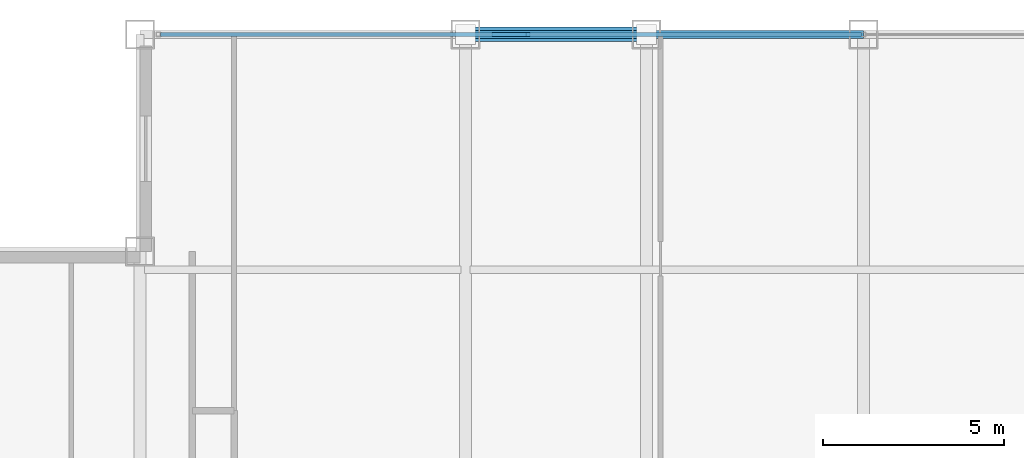
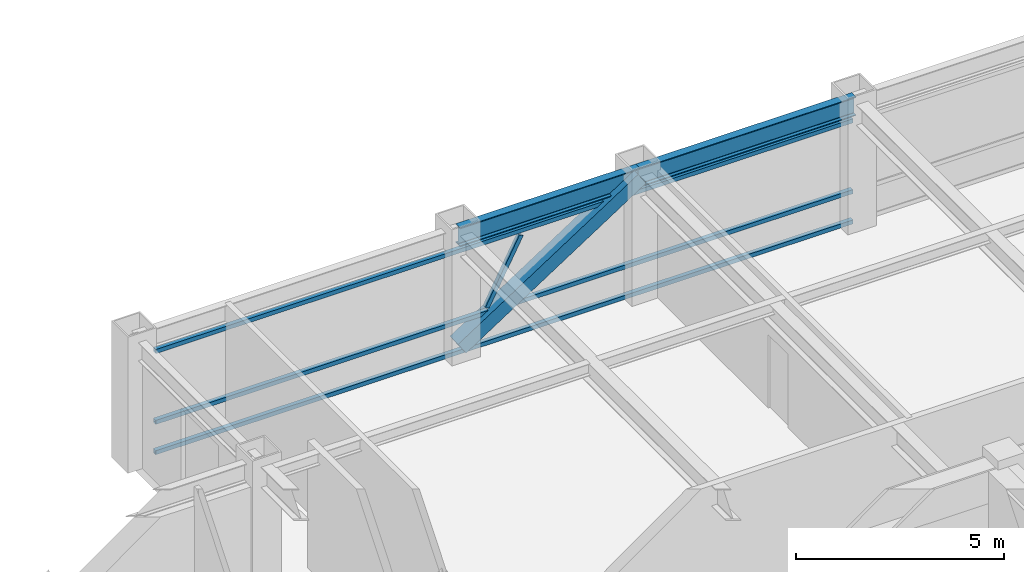
# One storey, part 17 of 28: 5 members, 2 beams, 1 element without a shape of its own.
"""IFC4 building model written with IfcOpenShell, lengths in metres."""

from ifc_helpers import new_model, si_unit, direction, frame, origin, origin_2d, place, context, subcontext, project, spatial, hollow_rectangle, i_section, extrude, source, transform, mapped, material, material_profile, profile_set, type_object, element, aggregate, save


model = new_model("IFC4")

# Units and contexts
model_context = context("Model", 3, precision=1e-05, world=origin(), true_north=direction((0.0, 1.0)))
body_context = subcontext(model_context, "Body", "Model", "MODEL_VIEW")
ifc_project = project(units=[si_unit("LENGTHUNIT", "METRE"), si_unit("AREAUNIT", "SQUARE_METRE"), si_unit("VOLUMEUNIT", "CUBIC_METRE"), si_unit("PLANEANGLEUNIT", "RADIAN"), si_unit("MASSUNIT", "GRAM", prefix="KILO")], contexts=[model_context])

# Site, building, storey
site_placement = place(None, origin())
site = spatial("IfcSite", under=ifc_project, at=site_placement, CompositionType="ELEMENT")
building_placement = place(site_placement, origin())
building = spatial("IfcBuilding", under=site, at=building_placement, Name="Khorayat Bourse Tower", CompositionType="ELEMENT")
storey_placement = place(building_placement, frame((0.0, 0.0, 338.300048828125)))
storey = spatial("IfcBuildingStorey", under=building, at=storey_placement, Name="L80", CompositionType="ELEMENT", Elevation=338.300048828125)

# Beams
ifc_material_1 = material(Name="Steel ASTM A992 Grade 50", Category="steel")
ifc_material_profile_1 = material_profile(ifc_material_1, i_section(OverallWidth=0.214111328125, OverallDepth=0.549072265625, WebThickness=0.0146484375, FlangeThickness=0.023681640625, FilletRadius=0.013916015625, at=origin_2d()), Name="W530X138")
ifc_profile_set_1 = profile_set([ifc_material_profile_1], Name="Steel ASTM A992 Grade 50")
beam_type = type_object("IfcBeamType", Name="BM-SPAN-530", PredefinedType="SPANDREL", material=ifc_profile_set_1)
shared_shape_1 = source(origin(), body_context, "Body", "SweptSolid", [
    extrude(i_section(OverallWidth=0.214111328125, OverallDepth=0.549072265625, WebThickness=0.0146484375, FlangeThickness=0.023681640625, FilletRadius=0.013916015625, at=origin_2d()), origin(), (0.0, 0.0, 1.0), 5.0),
])
beam_1_placement = place(storey_placement, frame((-11.0, 26.0, 3.46533203125), z_axis=(1.0, 0.0, 0.0), x_axis=(0.0, 1.0, 0.0)))
element("IfcBeam", 1, at=beam_1_placement, inside=storey, type_object=beam_type, Name="L80 BM-SPAN-530 BM-L80-SPN-044", PredefinedType="SPANDREL", context=body_context, shape_type="MappedRepresentation", body=[
    mapped(shared_shape_1, transform((0.0, 0.0, 0.0), scale=1.0)),
])
shared_shape_2 = source(origin(), body_context, "Body", "SweptSolid", [
    extrude(i_section(OverallWidth=0.214111328125, OverallDepth=0.549072265625, WebThickness=0.0146484375, FlangeThickness=0.023681640625, FilletRadius=0.013916015625, at=origin_2d()), origin(), (0.0, 0.0, 1.0), 6.0),
])
beam_2_placement = place(storey_placement, frame((-6.0, 26.0, 3.46533203125), z_axis=(1.0, 0.0, 0.0), x_axis=(0.0, 1.0, 0.0)))
element("IfcBeam", 2, at=beam_2_placement, inside=storey, type_object=beam_type, Name="L80 BM-SPAN-530 BM-L80-SPN-043", PredefinedType="SPANDREL", context=body_context, shape_type="MappedRepresentation", body=[
    mapped(shared_shape_2, transform((0.0, 0.0, 0.0), scale=1.0)),
])

# Member
ifc_material_2 = material(Name="Steel EN 10025-4 S460M", Category="steel")
ifc_material_profile_2 = material_profile(ifc_material_2, hollow_rectangle(XDim=0.39990234375, YDim=0.39990234375, WallThickness=0.02197265625, at=origin_2d()), Name="HSS 400x400x22")
ifc_profile_set_2 = profile_set([ifc_material_profile_2], Name="Steel EN 10025-4 S460M")
member_type_1 = type_object("IfcMemberType", Name="MBR-TUBE-400", PredefinedType="BRACE", material=ifc_profile_set_2)
shared_shape_3 = source(origin(), body_context, "Body", "SweptSolid", [
    extrude(hollow_rectangle(XDim=0.39990234375, YDim=0.39990234375, WallThickness=0.02197265625, at=origin_2d()), origin(), (0.0, 0.0, 1.0), 5.9580078125),
])
member_1_placement = place(storey_placement, frame((-11.0, 26.0, 0.25), z_axis=(0.839210474455, 0.0, 0.543806748364), x_axis=(0.0, 1.0, 0.0)))
element("IfcMember", 3, at=member_1_placement, inside=storey, type_object=member_type_1, Name="L80 Perimeter Tube Brace 03", PredefinedType="BRACE", context=body_context, shape_type="MappedRepresentation", body=[
    mapped(shared_shape_3, transform((0.0, 0.0, 0.0), scale=1.0)),
])

# Curtain wall, members
ifc_material_3 = material(Name="Aluminium EN AW-6063 T6", Category="aluminium")
curtain_wall_type = type_object("IfcCurtainWallType", Name="CW-SYS-04", PredefinedType="NOTDEFINED", material=ifc_material_3)
curtain_wall_placement = place(storey_placement, origin())
curtain_wall = element("IfcCurtainWall", 4, at=curtain_wall_placement, inside=storey, type_object=curtain_wall_type, Name="L80 Curtain Wall CW-L80-N1", PredefinedType="NOTDEFINED")
ifc_material_profile_3 = material_profile(ifc_material_3, hollow_rectangle(XDim=0.1201171875, YDim=0.1201171875, WallThickness=0.0048828125, at=origin_2d()), Name="ALU 120x120x5")
ifc_profile_set_3 = profile_set([ifc_material_profile_3], Name="Aluminium EN AW-6063 T6")
member_type_2 = type_object("IfcMemberType", Name="CWM-DIAG-120", PredefinedType="MULLION", material=ifc_profile_set_3)
shared_shape_4 = source(origin(), body_context, "Body", "SweptSolid", [
    extrude(hollow_rectangle(XDim=0.1201171875, YDim=0.1201171875, WallThickness=0.0048828125, at=origin_2d()), origin(), (0.0, 0.0, 1.0), 2.0341796875),
])
member_2_placement = place(storey_placement, frame((-10.21875, 26.0, 1.08984375), z_axis=(0.465790950955, 0.0, 0.884894790361), x_axis=(0.0, 1.0, 0.0)))
member_2 = element("IfcMember", 5, at=member_2_placement, type_object=member_type_2, Name="CW-L80-N1 Faceted Diagonal Mullion 1", PredefinedType="MULLION", context=body_context, shape_type="MappedRepresentation", body=[
    mapped(shared_shape_4, transform((0.0, 0.0, 0.0), scale=1.0)),
])
ifc_material_profile_4 = material_profile(ifc_material_3, hollow_rectangle(XDim=0.1201171875, YDim=0.1201171875, WallThickness=0.0048828125, at=origin_2d()), Name="ALU 120x120x5")
ifc_profile_set_4 = profile_set([ifc_material_profile_4], Name="Aluminium EN AW-6063 T6")
member_type_3 = type_object("IfcMemberType", Name="CWT-HORZ-120", PredefinedType="USERDEFINED", material=ifc_profile_set_4)
shared_shape_5 = source(origin(), body_context, "Body", "SweptSolid", [
    extrude(hollow_rectangle(XDim=0.1201171875, YDim=0.1201171875, WallThickness=0.0048828125, at=origin_2d()), origin(), (0.0, 0.0, 1.0), 19.369873046875),
])
member_3_placement = place(storey_placement, frame((-19.429931640625, 26.0, 0.06005859375), z_axis=(1.0, 0.0, 0.0), x_axis=(0.0, 1.0, 0.0)))
member_3 = element("IfcMember", 6, at=member_3_placement, type_object=member_type_3, Name="CW-L80-N1 Horizontal Transom 1-1", ObjectType="TRANSOM", PredefinedType="USERDEFINED", context=body_context, shape_type="MappedRepresentation", body=[
    mapped(shared_shape_5, transform((0.0, 0.0, 0.0), scale=1.0)),
])
member_4_placement = place(storey_placement, frame((-19.429931640625, 26.0, 0.949951171875), z_axis=(1.0, 0.0, 0.0), x_axis=(0.0, 1.0, 0.0)))
member_4 = element("IfcMember", 7, at=member_4_placement, type_object=member_type_3, Name="CW-L80-N1 Horizontal Transom 1-2", ObjectType="TRANSOM", PredefinedType="USERDEFINED", context=body_context, shape_type="MappedRepresentation", body=[
    mapped(shared_shape_5, transform((0.0, 0.0, 0.0), scale=1.0)),
])
member_5_placement = place(storey_placement, frame((-19.429931640625, 26.0, 3.030029296875), z_axis=(1.0, 0.0, 0.0), x_axis=(0.0, 1.0, 0.0)))
member_5 = element("IfcMember", 8, at=member_5_placement, type_object=member_type_3, Name="CW-L80-N1 Horizontal Transom 1-3", ObjectType="TRANSOM", PredefinedType="USERDEFINED", context=body_context, shape_type="MappedRepresentation", body=[
    mapped(shared_shape_5, transform((0.0, 0.0, 0.0), scale=1.0)),
])
aggregate(curtain_wall, [member_3, member_4, member_5, member_2])

save(model, "model.ifc")
